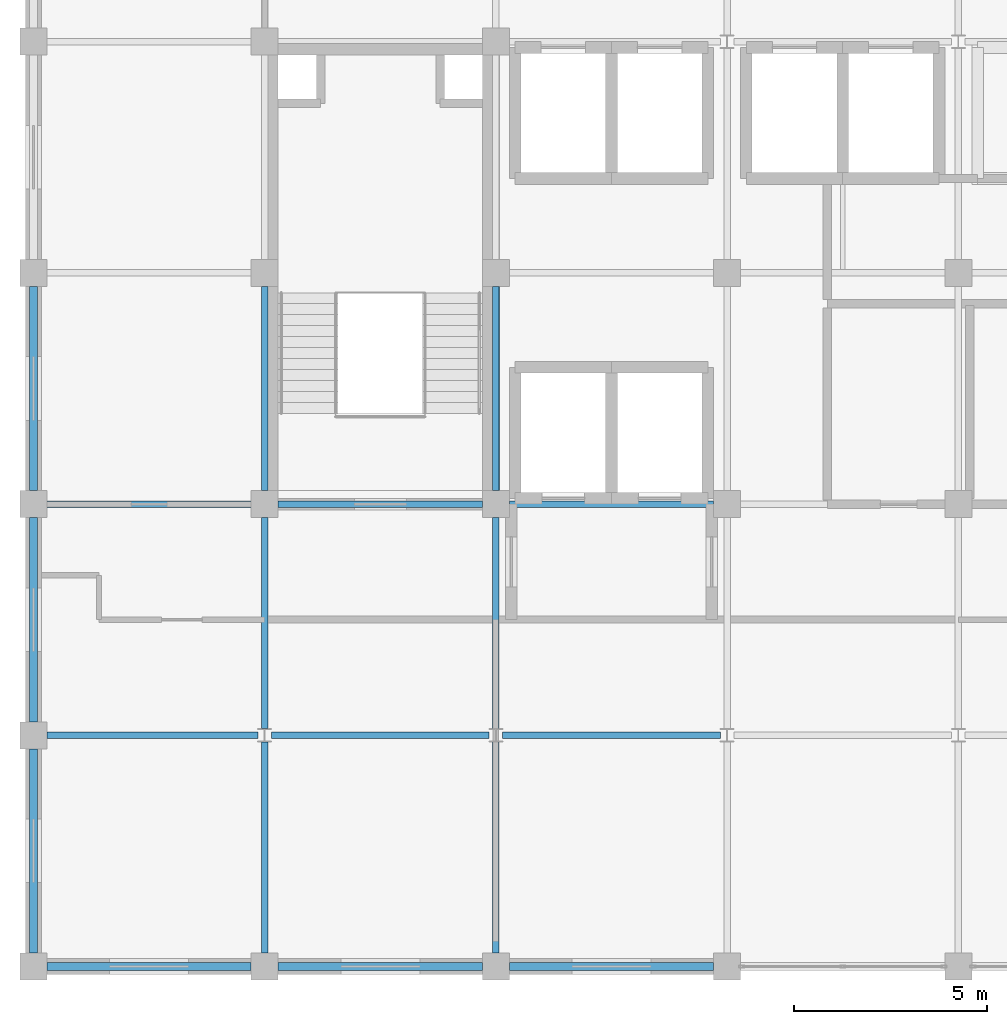
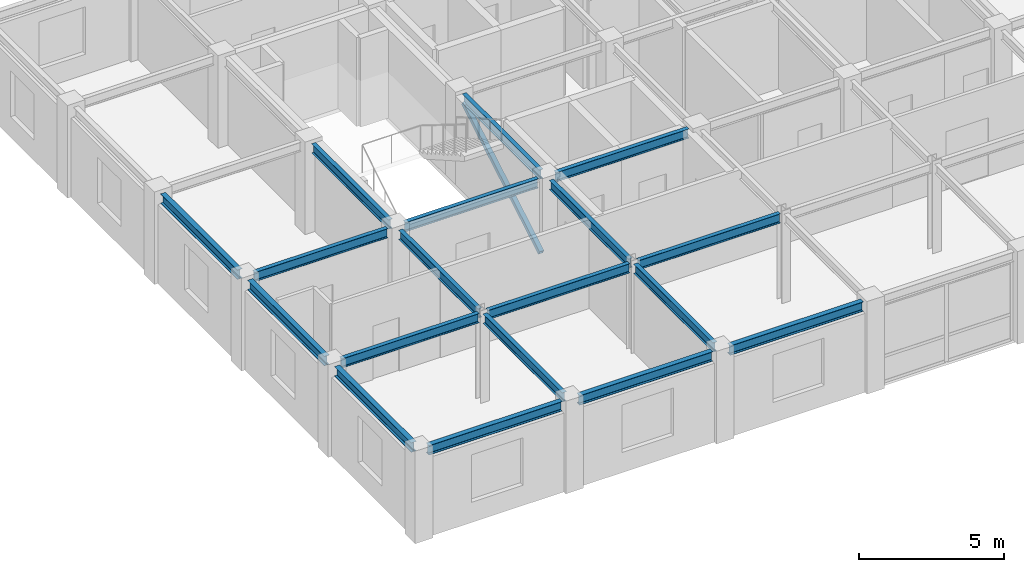
# One storey, part 4 of 13: 18 beams, 1 member.
"""IFC4 building model written with IfcOpenShell, lengths in metres."""

from ifc_helpers import new_model, si_unit, direction, frame, origin, origin_2d, place, context, subcontext, project, spatial, hollow_rectangle, i_section, extrude, material, material_profile, profile_set, type_object, element, save


model = new_model("IFC4")

# Units and contexts
model_context = context("Model", 3, precision=1e-05, world=origin(), true_north=direction((0.0, 1.0)))
body_context = subcontext(model_context, "Body", "Model", "MODEL_VIEW")
ifc_project = project(units=[si_unit("LENGTHUNIT", "METRE"), si_unit("AREAUNIT", "SQUARE_METRE"), si_unit("VOLUMEUNIT", "CUBIC_METRE"), si_unit("PLANEANGLEUNIT", "RADIAN"), si_unit("MASSUNIT", "GRAM", prefix="KILO")], contexts=[model_context])

# Site, building, storey
site_placement = place(None, origin())
site = spatial("IfcSite", under=ifc_project, at=site_placement, CompositionType="ELEMENT")
building_placement = place(site_placement, origin())
building = spatial("IfcBuilding", under=site, at=building_placement, Name="Zlatovratsky Civic Hall", CompositionType="ELEMENT")
storey_placement = place(building_placement, frame((0.0, 0.0, 44.39990234375)))
storey = spatial("IfcBuildingStorey", under=building, at=storey_placement, Name="L11", CompositionType="ELEMENT", Elevation=44.39990234375)

# Beams
ifc_material = material(Name="Steel S355", Category="steel")
ifc_material_profile_1 = material_profile(ifc_material, i_section(OverallWidth=0.199951171875, OverallDepth=0.39990234375, WebThickness=0.008056640625, FlangeThickness=0.012939453125, FilletRadius=0.014892578125, at=origin_2d()), Name="40B2")
ifc_profile_set_1 = profile_set([ifc_material_profile_1], Name="Steel S355")
beam_type_1 = type_object("IfcBeamType", Name="Beam_Spandrel_40B2", PredefinedType="SPANDREL", material=ifc_profile_set_1)
for number, where, z_axis, x_axis, name in (
    (1, (60.35009765625, 72.0, 3.5400390625), (1.0, 0.0, 0.0), (0.0, 1.0, 0.0), "BM-4703"),
    (2, (66.35009765625, 72.0, 3.5400390625), (1.0, 0.0, 0.0), (0.0, 1.0, 0.0), "BM-4704"),
    (3, (72.35009765625, 72.0, 3.5400390625), (1.0, 0.0, 0.0), (0.0, 1.0, 0.0), "BM-4705"),
    (4, (60.0, 72.35009765625, 3.5400390625), (0.0, 1.0, 0.0), (-1.0, 0.0, 0.0), "BM-4749"),
    (5, (60.0, 78.35009765625, 3.5400390625), (0.0, 1.0, 0.0), (-1.0, 0.0, 0.0), "BM-4750"),
    (6, (60.0, 84.35009765625, 3.5400390625), (0.0, 1.0, 0.0), (-1.0, 0.0, 0.0), "BM-4751"),
):
    element("IfcBeam", number, at=place(storey_placement, frame(where, z_axis=z_axis, x_axis=x_axis)), inside=storey, type_object=beam_type_1, Name=name, PredefinedType="SPANDREL", context=body_context, shape_type="SweptSolid", body=[
        extrude(i_section(OverallWidth=0.199951171875, OverallDepth=0.39990234375, WebThickness=0.008056640625, FlangeThickness=0.012939453125, FilletRadius=0.014892578125, at=origin_2d()), origin(), (0.0, 0.0, 1.0), 5.2998046875),
    ])
ifc_material_profile_2 = material_profile(ifc_material, i_section(OverallWidth=0.1650390625, OverallDepth=0.39208984375, WebThickness=0.006591796875, FlangeThickness=0.009521484375, FilletRadius=0.014892578125, at=origin_2d()), Name="40B1")
ifc_profile_set_2 = profile_set([ifc_material_profile_2], Name="Steel S355")
beam_type_2 = type_object("IfcBeamType", Name="Beam_Tie_40B1", PredefinedType="BEAM", material=ifc_profile_set_2)
beam_1_placement = place(storey_placement, frame((60.35009765625, 78.0, 3.544189453125), z_axis=(1.0, 0.0, 0.0), x_axis=(0.0, 1.0, 0.0)))
element("IfcBeam", 7, at=beam_1_placement, inside=storey, type_object=beam_type_2, Name="BM-4711", PredefinedType="BEAM", context=body_context, shape_type="SweptSolid", body=[
    extrude(i_section(OverallWidth=0.1650390625, OverallDepth=0.39208984375, WebThickness=0.006591796875, FlangeThickness=0.009521484375, FilletRadius=0.014892578125, at=origin_2d()), origin(), (0.0, 0.0, 1.0), 5.474853515625),
])
for number, where, z_axis, x_axis, name in (
    (8, (66.175048828125, 78.0, 3.544189453125), (1.0, 0.0, 0.0), (0.0, 1.0, 0.0), "BM-4712"),
    (9, (72.175048828125, 78.0, 3.544189453125), (1.0, 0.0, 0.0), (0.0, 1.0, 0.0), "BM-4713"),
):
    element("IfcBeam", number, at=place(storey_placement, frame(where, z_axis=z_axis, x_axis=x_axis)), inside=storey, type_object=beam_type_2, Name=name, PredefinedType="BEAM", context=body_context, shape_type="SweptSolid", body=[
        extrude(i_section(OverallWidth=0.1650390625, OverallDepth=0.39208984375, WebThickness=0.006591796875, FlangeThickness=0.009521484375, FilletRadius=0.014892578125, at=origin_2d()), origin(), (0.0, 0.0, 1.0), 5.64990234375),
    ])
for number, where, z_axis, x_axis, name in (
    (10, (60.35009765625, 84.0, 3.544189453125), (1.0, 0.0, 0.0), (0.0, 1.0, 0.0), "BM-4719"),
    (11, (66.35009765625, 84.0, 3.544189453125), (1.0, 0.0, 0.0), (0.0, 1.0, 0.0), "BM-4720"),
    (12, (72.35009765625, 84.0, 3.544189453125), (1.0, 0.0, 0.0), (0.0, 1.0, 0.0), "BM-4721"),
):
    element("IfcBeam", number, at=place(storey_placement, frame(where, z_axis=z_axis, x_axis=x_axis)), inside=storey, type_object=beam_type_2, Name=name, PredefinedType="BEAM", context=body_context, shape_type="SweptSolid", body=[
        extrude(i_section(OverallWidth=0.1650390625, OverallDepth=0.39208984375, WebThickness=0.006591796875, FlangeThickness=0.009521484375, FilletRadius=0.014892578125, at=origin_2d()), origin(), (0.0, 0.0, 1.0), 5.2998046875),
    ])
for number, where, z_axis, x_axis, name in (
    (13, (66.0, 72.35009765625, 3.544189453125), (0.0, 1.0, 0.0), (-1.0, 0.0, 0.0), "BM-4754"),
    (14, (66.0, 78.17138671875, 3.544189453125), (0.0, 1.0, 0.0), (-1.0, 0.0, 0.0), "BM-4755"),
):
    element("IfcBeam", number, at=place(storey_placement, frame(where, z_axis=z_axis, x_axis=x_axis)), inside=storey, type_object=beam_type_2, Name=name, PredefinedType="BEAM", context=body_context, shape_type="SweptSolid", body=[
        extrude(i_section(OverallWidth=0.1650390625, OverallDepth=0.39208984375, WebThickness=0.006591796875, FlangeThickness=0.009521484375, FilletRadius=0.014892578125, at=origin_2d()), origin(), (0.0, 0.0, 1.0), 5.478515625),
    ])
beam_2_placement = place(storey_placement, frame((66.0, 84.35009765625, 3.544189453125), z_axis=(0.0, 1.0, 0.0), x_axis=(-1.0, 0.0, 0.0)))
element("IfcBeam", 15, at=beam_2_placement, inside=storey, type_object=beam_type_2, Name="BM-4756", PredefinedType="BEAM", context=body_context, shape_type="SweptSolid", body=[
    extrude(i_section(OverallWidth=0.1650390625, OverallDepth=0.39208984375, WebThickness=0.006591796875, FlangeThickness=0.009521484375, FilletRadius=0.014892578125, at=origin_2d()), origin(), (0.0, 0.0, 1.0), 5.2998046875),
])
for number, where, z_axis, x_axis, name in (
    (16, (72.0, 72.35009765625, 3.544189453125), (0.0, 1.0, 0.0), (-1.0, 0.0, 0.0), "BM-4759"),
    (17, (72.0, 78.17138671875, 3.544189453125), (0.0, 1.0, 0.0), (-1.0, 0.0, 0.0), "BM-4760"),
):
    element("IfcBeam", number, at=place(storey_placement, frame(where, z_axis=z_axis, x_axis=x_axis)), inside=storey, type_object=beam_type_2, Name=name, PredefinedType="BEAM", context=body_context, shape_type="SweptSolid", body=[
        extrude(i_section(OverallWidth=0.1650390625, OverallDepth=0.39208984375, WebThickness=0.006591796875, FlangeThickness=0.009521484375, FilletRadius=0.014892578125, at=origin_2d()), origin(), (0.0, 0.0, 1.0), 5.478515625),
    ])
beam_3_placement = place(storey_placement, frame((72.0, 84.35009765625, 3.544189453125), z_axis=(0.0, 1.0, 0.0), x_axis=(-1.0, 0.0, 0.0)))
element("IfcBeam", 18, at=beam_3_placement, inside=storey, type_object=beam_type_2, Name="BM-4761", PredefinedType="BEAM", context=body_context, shape_type="SweptSolid", body=[
    extrude(i_section(OverallWidth=0.1650390625, OverallDepth=0.39208984375, WebThickness=0.006591796875, FlangeThickness=0.009521484375, FilletRadius=0.014892578125, at=origin_2d()), origin(), (0.0, 0.0, 1.0), 5.2998046875),
])

# Member
ifc_material_profile_3 = material_profile(ifc_material, hollow_rectangle(XDim=0.179931640625, YDim=0.179931640625, WallThickness=0.008056640625, at=origin_2d()), Name="SHS 180x180x8")
ifc_profile_set_3 = profile_set([ifc_material_profile_3], Name="Steel S355")
member_type = type_object("IfcMemberType", Name="Brace_TowerMid_SHS180", PredefinedType="BRACE", material=ifc_profile_set_3)
member_placement = place(storey_placement, frame((72.0, 84.35009765625, 0.25), z_axis=(0.0, 0.863172562464, 0.504909028845), x_axis=(-1.0, 0.0, 0.0)))
element("IfcMember", 19, at=member_placement, inside=storey, type_object=member_type, Name="MB-0148", PredefinedType="BRACE", context=body_context, shape_type="SweptSolid", body=[
    extrude(hollow_rectangle(XDim=0.179931640625, YDim=0.179931640625, WallThickness=0.008056640625, at=origin_2d()), origin(), (0.0, 0.0, 1.0), 6.139892578125),
])

save(model, "model.ifc")
